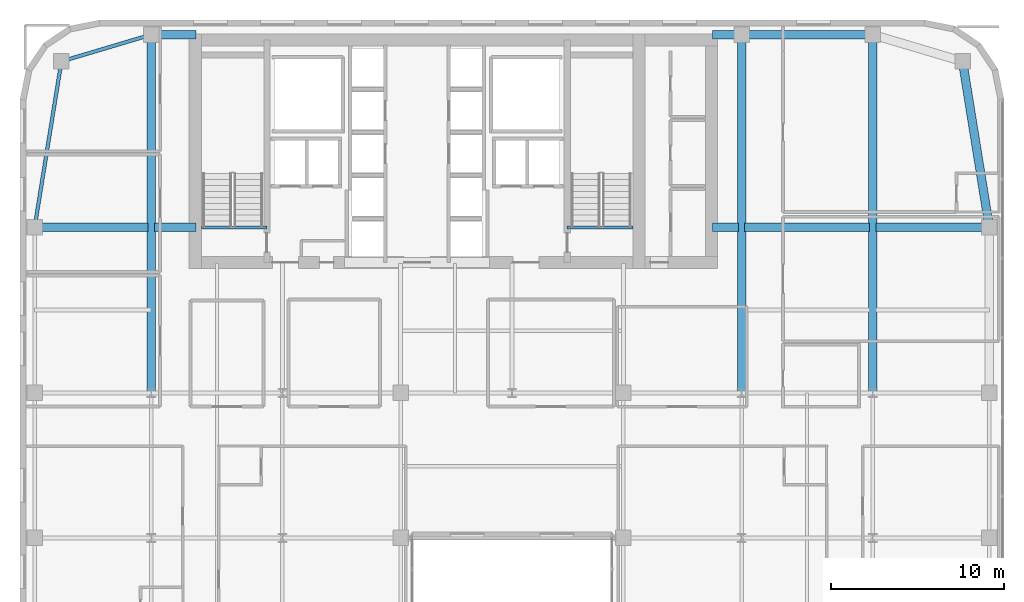
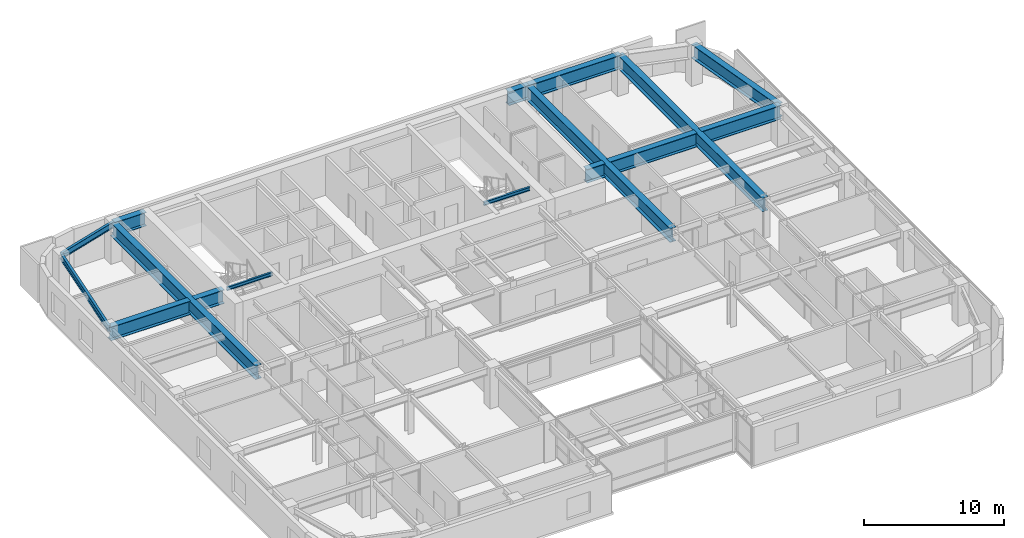
# One storey, part 13 of 25: 16 beams.
"""IFC4 building model written with IfcOpenShell, lengths in metres."""

from ifc_helpers import new_model, si_unit, direction, frame, origin, origin_2d, place, context, subcontext, project, spatial, i_section, extrude, source, transform, mapped, material, material_profile, profile_set, type_object, type_shapes, element, save


model = new_model("IFC4")

# Units and contexts
model_context = context("Model", 3, precision=1e-05, world=origin(), true_north=direction((0.0, 1.0)))
body_context = subcontext(model_context, "Body", "Model", "MODEL_VIEW")
ifc_project = project(units=[si_unit("LENGTHUNIT", "METRE"), si_unit("AREAUNIT", "SQUARE_METRE"), si_unit("VOLUMEUNIT", "CUBIC_METRE"), si_unit("PLANEANGLEUNIT", "RADIAN"), si_unit("MASSUNIT", "GRAM", prefix="KILO")], contexts=[model_context])

# Site, building, storey
site_placement = place(None, origin())
site = spatial("IfcSite", under=ifc_project, at=site_placement, CompositionType="ELEMENT")
building_placement = place(site_placement, origin())
building = spatial("IfcBuilding", under=site, at=building_placement, Name="Tolvann Quenvar Hotel", CompositionType="ELEMENT")
storey_placement = place(building_placement, frame((0.0, 0.0, 122.199951171875)))
storey = spatial("IfcBuildingStorey", under=building, at=storey_placement, Name="L31", CompositionType="ELEMENT", Elevation=122.199951171875)

# Beams
ifc_material = material(Name="Steel Grade 350", Category="steel")
ifc_material_profile_1 = material_profile(ifc_material, i_section(OverallWidth=0.5, OverallDepth=1.199951171875, WebThickness=0.01611328125, FlangeThickness=0.0400390625, at=origin_2d()), Name="1200WB455")
ifc_profile_set_1 = profile_set([ifc_material_profile_1], Name="Steel Grade 350")
beam_type_1 = type_object("IfcBeamType", Name="BM_TG_1200WB455", PredefinedType="USERDEFINED", material=ifc_profile_set_1)
shared_shape_1 = source(origin(), body_context, "Body", "SweptSolid", [
    extrude(i_section(OverallWidth=0.5, OverallDepth=1.199951171875, WebThickness=0.01611328125, FlangeThickness=0.0400390625, at=origin_2d()), origin(), (0.0, 0.0, 1.0), 7.599853515625),
])
beam_1_placement = place(storey_placement, frame((49.39990234375, 45.14990234375, 2.77001953125), z_axis=(-1.0, 0.0, 0.0), x_axis=(0.0, -1.0, 0.0)))
element("IfcBeam", 1, at=beam_1_placement, inside=storey, type_object=beam_type_1, Name="BM-L31-FLK-E4", ObjectType="TRANSFER GIRDER", PredefinedType="USERDEFINED", context=body_context, shape_type="MappedRepresentation", body=[
    mapped(shared_shape_1, transform((0.0, 0.0, 0.0), x_axis=(1.0, 0.0, 0.0), y_axis=(0.0, 1.0, 0.0), z_axis=(0.0, 0.0, 1.0), scale=1.0)),
])
ifc_material_profile_2 = material_profile(ifc_material, i_section(OverallWidth=0.208984375, OverallDepth=0.528076171875, WebThickness=0.009521484375, FlangeThickness=0.01318359375, FilletRadius=0.013916015625, at=origin_2d()), Name="530UB82")
ifc_profile_set_2 = profile_set([ifc_material_profile_2], Name="Steel Grade 350")
beam_type_2 = type_object("IfcBeamType", Name="BM_SPAND_530UB82", PredefinedType="SPANDREL", material=ifc_profile_set_2)
shared_shape_2 = source(origin(), body_context, "Body", "SweptSolid", [
    extrude(i_section(OverallWidth=0.208984375, OverallDepth=0.528076171875, WebThickness=0.009521484375, FlangeThickness=0.01318359375, FilletRadius=0.013916015625, at=origin_2d()), origin(), (0.0, 0.0, 1.0), 5.42626953125),
])
beam_2_placement = place(storey_placement, frame((2.39990234375, 43.60009765625, 3.10595703125), z_axis=(0.958344815522, 0.285613750654, 0.0), x_axis=(-0.285613750654, 0.958344815522, 0.0)))
element("IfcBeam", 2, at=beam_2_placement, inside=storey, type_object=beam_type_2, Name="BM-L31-FLK-W3", PredefinedType="SPANDREL", context=body_context, shape_type="MappedRepresentation", body=[
    mapped(shared_shape_2, transform((0.0, 0.0, 0.0), x_axis=(1.0, 0.0, 0.0), y_axis=(0.0, 1.0, 0.0), z_axis=(0.0, 0.0, 1.0), scale=1.0)),
])
shared_shape_3 = source(origin(), body_context, "Body", "SweptSolid", [
    extrude(i_section(OverallWidth=0.208984375, OverallDepth=0.528076171875, WebThickness=0.009521484375, FlangeThickness=0.01318359375, FilletRadius=0.013916015625, at=origin_2d()), origin(), (0.0, 0.0, 1.0), 9.724365234375),
])
type_shapes(beam_type_2, [shared_shape_2, shared_shape_3])
beam_3_placement = place(storey_placement, frame((0.85009765625, 34.0, 3.10595703125), z_axis=(0.159372939192, 0.987218449105, 0.0), x_axis=(-0.987218449105, 0.159372939192, 0.0)))
element("IfcBeam", 3, at=beam_3_placement, inside=storey, type_object=beam_type_2, Name="BM-L31-FLK-W2", PredefinedType="SPANDREL", context=body_context, shape_type="MappedRepresentation", body=[
    mapped(shared_shape_3, transform((0.0, 0.0, 0.0), x_axis=(1.0, 0.0, 0.0), y_axis=(0.0, 1.0, 0.0), z_axis=(0.0, 0.0, 1.0), scale=1.0)),
])
shared_shape_4 = source(origin(), body_context, "Body", "SweptSolid", [
    extrude(i_section(OverallWidth=0.5, OverallDepth=1.199951171875, WebThickness=0.01611328125, FlangeThickness=0.0400390625, at=origin_2d()), origin(), (0.0, 0.0, 1.0), 20.75),
])
for number, where, z_axis, x_axis, name in (
    (4, (7.60009765625, 24.39990234375, 2.77001953125), (0.0, 1.0, 0.0), (-1.0, 0.0, 0.0), "BM-L31-FLK-WC"),
    (5, (41.800048828125, 24.39990234375, 2.77001953125), (0.0, 1.0, 0.0), (-1.0, 0.0, 0.0), "BM-L31-FLK-EH"),
    (6, (49.39990234375, 24.39990234375, 2.77001953125), (0.0, 1.0, 0.0), (-1.0, 0.0, 0.0), "BM-L31-FLK-EI"),
):
    element("IfcBeam", number, at=place(storey_placement, frame(where, z_axis=z_axis, x_axis=x_axis)), inside=storey, type_object=beam_type_1, Name=name, ObjectType="TRANSFER GIRDER", PredefinedType="USERDEFINED", context=body_context, shape_type="MappedRepresentation", body=[
        mapped(shared_shape_4, transform((0.0, 0.0, 0.0), x_axis=(1.0, 0.0, 0.0), y_axis=(0.0, 1.0, 0.0), z_axis=(0.0, 0.0, 1.0), scale=1.0)),
    ])
shared_shape_5 = source(origin(), body_context, "Body", "SweptSolid", [
    extrude(i_section(OverallWidth=0.5, OverallDepth=1.199951171875, WebThickness=0.01611328125, FlangeThickness=0.0400390625, at=origin_2d()), origin(), (0.0, 0.0, 1.0), 6.56982421875),
])
for number, where, z_axis, x_axis, name in (
    (7, (0.85009765625, 34.0, 2.77001953125), (1.0, 0.0, 0.0), (0.0, 1.0, 0.0), "BM-L31-CTW-MID1"),
    (8, (49.580078125, 34.0, 2.77001953125), (1.0, 0.0, 0.0), (0.0, 1.0, 0.0), "BM-L31-CTE-JD6C"),
):
    element("IfcBeam", number, at=place(storey_placement, frame(where, z_axis=z_axis, x_axis=x_axis)), inside=storey, type_object=beam_type_1, Name=name, ObjectType="TRANSFER GIRDER", PredefinedType="USERDEFINED", context=body_context, shape_type="MappedRepresentation", body=[
        mapped(shared_shape_5, transform((0.0, 0.0, 0.0), x_axis=(1.0, 0.0, 0.0), y_axis=(0.0, 1.0, 0.0), z_axis=(0.0, 0.0, 1.0), scale=1.0)),
    ])
shared_shape_6 = source(origin(), body_context, "Body", "SweptSolid", [
    extrude(i_section(OverallWidth=0.5, OverallDepth=1.199951171875, WebThickness=0.01611328125, FlangeThickness=0.0400390625, at=origin_2d()), origin(), (0.0, 0.0, 1.0), 2.419921875),
])
beam_4_placement = place(storey_placement, frame((7.780029296875, 34.0, 2.77001953125), z_axis=(1.0, 0.0, 0.0), x_axis=(0.0, 1.0, 0.0)))
element("IfcBeam", 9, at=beam_4_placement, inside=storey, type_object=beam_type_1, Name="BM-L31-CTW-MID2", ObjectType="TRANSFER GIRDER", PredefinedType="USERDEFINED", context=body_context, shape_type="MappedRepresentation", body=[
    mapped(shared_shape_6, transform((0.0, 0.0, 0.0), x_axis=(1.0, 0.0, 0.0), y_axis=(0.0, 1.0, 0.0), z_axis=(0.0, 0.0, 1.0), scale=1.0)),
])
shared_shape_7 = source(origin(), body_context, "Body", "SweptSolid", [
    extrude(i_section(OverallWidth=0.5, OverallDepth=1.199951171875, WebThickness=0.01611328125, FlangeThickness=0.0400390625, at=origin_2d()), origin(), (0.0, 0.0, 1.0), 2.599853515625),
])
beam_5_placement = place(storey_placement, frame((7.60009765625, 45.14990234375, 2.77001953125), z_axis=(1.0, 0.0, 0.0), x_axis=(0.0, 1.0, 0.0)))
element("IfcBeam", 10, at=beam_5_placement, inside=storey, type_object=beam_type_1, Name="BM-L31-CTW-CN", ObjectType="TRANSFER GIRDER", PredefinedType="USERDEFINED", context=body_context, shape_type="MappedRepresentation", body=[
    mapped(shared_shape_7, transform((0.0, 0.0, 0.0), x_axis=(1.0, 0.0, 0.0), y_axis=(0.0, 1.0, 0.0), z_axis=(0.0, 0.0, 1.0), scale=1.0)),
])
shared_shape_8 = source(origin(), body_context, "Body", "SweptSolid", [
    extrude(i_section(OverallWidth=0.5, OverallDepth=1.199951171875, WebThickness=0.01611328125, FlangeThickness=0.0400390625, at=origin_2d()), origin(), (0.0, 0.0, 1.0), 9.724365234375),
])
beam_6_placement = place(storey_placement, frame((56.14990234375, 34.0, 2.77001953125), z_axis=(-0.159372939192, 0.987218449105, 0.0), x_axis=(-0.987218449105, -0.159372939192, 0.0)))
element("IfcBeam", 11, at=beam_6_placement, inside=storey, type_object=beam_type_1, Name="BM-L31-FLK-E2", ObjectType="TRANSFER GIRDER", PredefinedType="USERDEFINED", context=body_context, shape_type="MappedRepresentation", body=[
    mapped(shared_shape_8, transform((0.0, 0.0, 0.0), x_axis=(1.0, 0.0, 0.0), y_axis=(0.0, 1.0, 0.0), z_axis=(0.0, 0.0, 1.0), scale=1.0)),
])
shared_shape_9 = source(origin(), body_context, "Body", "SweptSolid", [
    extrude(i_section(OverallWidth=0.5, OverallDepth=1.199951171875, WebThickness=0.01611328125, FlangeThickness=0.0400390625, at=origin_2d()), origin(), (0.0, 0.0, 1.0), 1.699951171875),
])
beam_7_placement = place(storey_placement, frame((40.10009765625, 45.14990234375, 2.77001953125), z_axis=(1.0, 0.0, 0.0), x_axis=(0.0, 1.0, 0.0)))
element("IfcBeam", 12, at=beam_7_placement, inside=storey, type_object=beam_type_1, Name="BM-L31-CTE-HN", ObjectType="TRANSFER GIRDER", PredefinedType="USERDEFINED", context=body_context, shape_type="MappedRepresentation", body=[
    mapped(shared_shape_9, transform((0.0, 0.0, 0.0), x_axis=(1.0, 0.0, 0.0), y_axis=(0.0, 1.0, 0.0), z_axis=(0.0, 0.0, 1.0), scale=1.0)),
])
shared_shape_10 = source(origin(), body_context, "Body", "SweptSolid", [
    extrude(i_section(OverallWidth=0.5, OverallDepth=1.199951171875, WebThickness=0.01611328125, FlangeThickness=0.0400390625, at=origin_2d()), origin(), (0.0, 0.0, 1.0), 1.52001953125),
])
beam_8_placement = place(storey_placement, frame((40.10009765625, 34.0, 2.77001953125), z_axis=(1.0, 0.0, 0.0), x_axis=(0.0, 1.0, 0.0)))
element("IfcBeam", 13, at=beam_8_placement, inside=storey, type_object=beam_type_1, Name="BM-L31-CTE-JD6A", ObjectType="TRANSFER GIRDER", PredefinedType="USERDEFINED", context=body_context, shape_type="MappedRepresentation", body=[
    mapped(shared_shape_10, transform((0.0, 0.0, 0.0), x_axis=(1.0, 0.0, 0.0), y_axis=(0.0, 1.0, 0.0), z_axis=(0.0, 0.0, 1.0), scale=1.0)),
])
shared_shape_11 = source(origin(), body_context, "Body", "SweptSolid", [
    extrude(i_section(OverallWidth=0.5, OverallDepth=1.199951171875, WebThickness=0.01611328125, FlangeThickness=0.0400390625, at=origin_2d()), origin(), (0.0, 0.0, 1.0), 7.239990234375),
])
type_shapes(beam_type_1, [shared_shape_1, shared_shape_4, shared_shape_5, shared_shape_6, shared_shape_7, shared_shape_8, shared_shape_9, shared_shape_10, shared_shape_11])
beam_9_placement = place(storey_placement, frame((41.97998046875, 34.0, 2.77001953125), z_axis=(1.0, 0.0, 0.0), x_axis=(0.0, 1.0, 0.0)))
element("IfcBeam", 14, at=beam_9_placement, inside=storey, type_object=beam_type_1, Name="BM-L31-CTE-JD6B", ObjectType="TRANSFER GIRDER", PredefinedType="USERDEFINED", context=body_context, shape_type="MappedRepresentation", body=[
    mapped(shared_shape_11, transform((0.0, 0.0, 0.0), x_axis=(1.0, 0.0, 0.0), y_axis=(0.0, 1.0, 0.0), z_axis=(0.0, 0.0, 1.0), scale=1.0)),
])
ifc_material_profile_3 = material_profile(ifc_material, i_section(OverallWidth=0.166015625, OverallDepth=0.306884765625, WebThickness=0.006591796875, FlangeThickness=0.01171875, FilletRadius=0.011474609375, at=origin_2d()), Name="310UB46")
ifc_profile_set_3 = profile_set([ifc_material_profile_3], Name="Steel Grade 350")
beam_type_3 = type_object("IfcBeamType", Name="BM_JOIST_310UB46", PredefinedType="JOIST", material=ifc_profile_set_3)
shared_shape_12 = source(origin(), body_context, "Body", "SweptSolid", [
    extrude(i_section(OverallWidth=0.166015625, OverallDepth=0.306884765625, WebThickness=0.006591796875, FlangeThickness=0.01171875, FilletRadius=0.011474609375, at=origin_2d()), origin(), (0.0, 0.0, 1.0), 3.800048828125),
])
type_shapes(beam_type_3, [shared_shape_12])
for number, where, z_axis, x_axis, name in (
    (15, (10.5, 33.97998046875, 3.216552734375), (1.0, 0.0, 0.0), (0.0, 1.0, 0.0), "BM-HDR-STC1-L32"),
    (16, (31.699951171875, 33.97998046875, 3.216552734375), (1.0, 0.0, 0.0), (0.0, 1.0, 0.0), "BM-HDR-STC2-L32"),
):
    element("IfcBeam", number, at=place(storey_placement, frame(where, z_axis=z_axis, x_axis=x_axis)), inside=storey, type_object=beam_type_3, Name=name, PredefinedType="JOIST", context=body_context, shape_type="MappedRepresentation", body=[
        mapped(shared_shape_12, transform((0.0, 0.0, 0.0), x_axis=(1.0, 0.0, 0.0), y_axis=(0.0, 1.0, 0.0), z_axis=(0.0, 0.0, 1.0), scale=1.0)),
    ])

save(model, "model.ifc")
